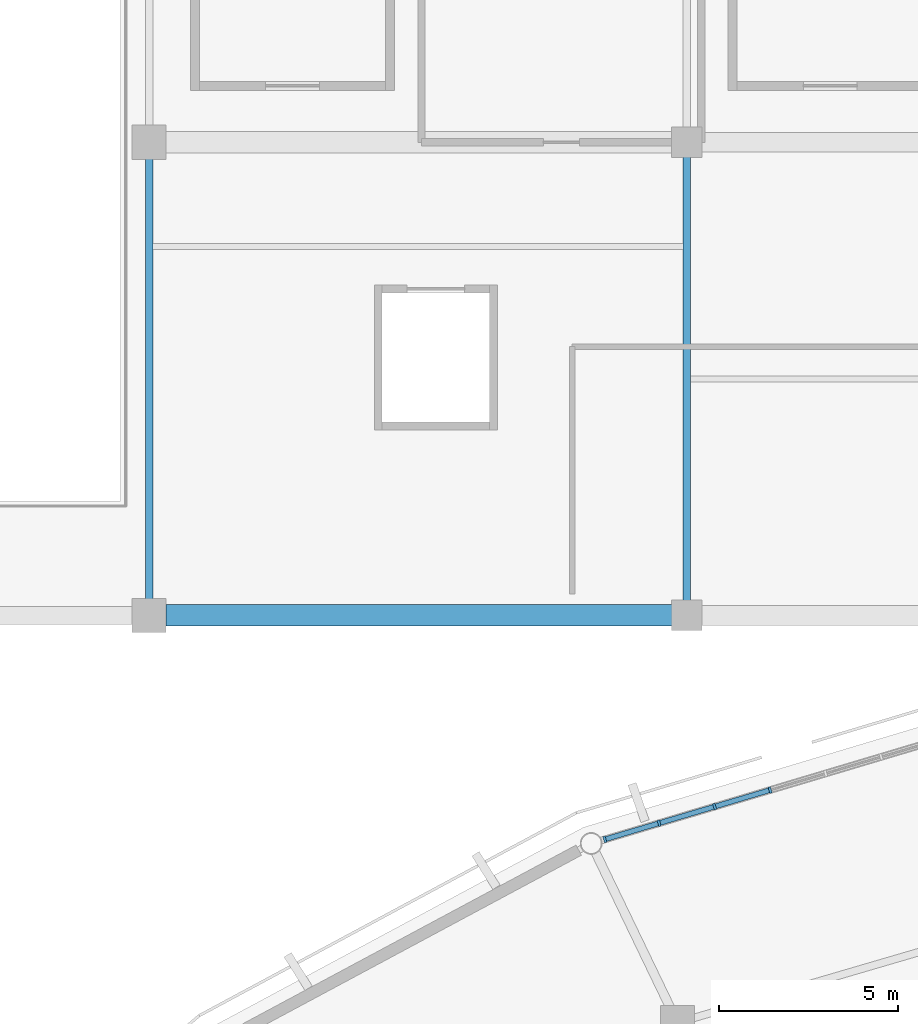
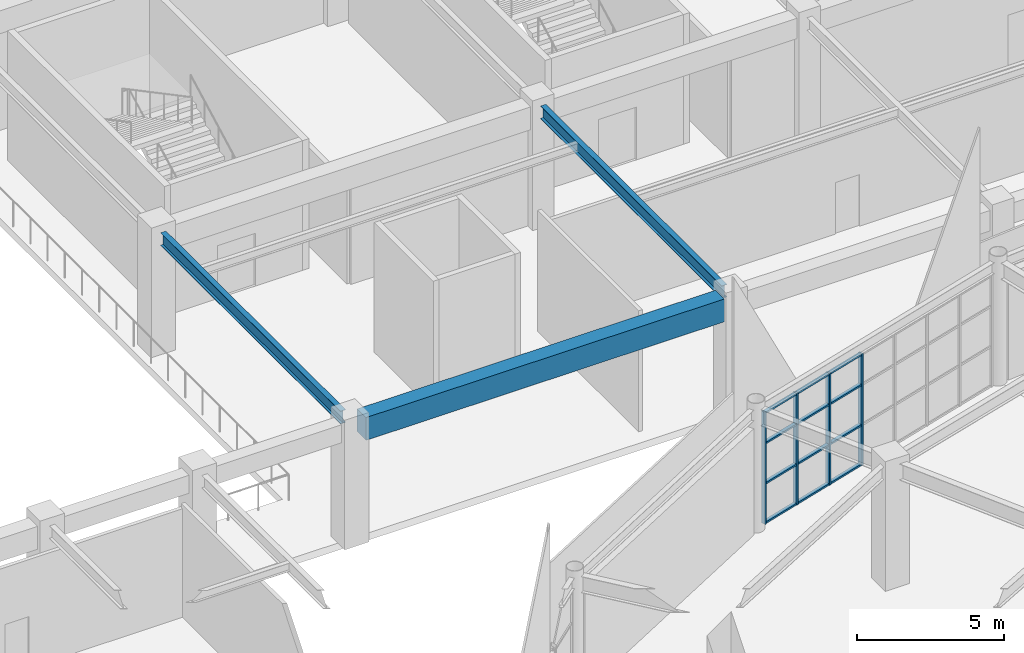
# One storey, part 39 of 120: 16 members, 3 beams, 1 element without a shape of its own.
"""IFC4 building model written with IfcOpenShell, lengths in metres."""

from ifc_helpers import new_model, si_unit, direction, frame, origin, origin_2d, place, context, subcontext, project, spatial, rectangle, i_section, extrude, material, material_profile, profile_set, type_object, element, aggregate, save


model = new_model("IFC4")

# Units and contexts
model_context = context("Model", 3, precision=1e-05, world=origin(), true_north=direction((0.0, 1.0)))
body_context = subcontext(model_context, "Body", "Model", "MODEL_VIEW")
ifc_project = project(units=[si_unit("LENGTHUNIT", "METRE"), si_unit("AREAUNIT", "SQUARE_METRE"), si_unit("VOLUMEUNIT", "CUBIC_METRE"), si_unit("PLANEANGLEUNIT", "RADIAN"), si_unit("MASSUNIT", "GRAM", prefix="KILO")], contexts=[model_context])

# Site, building, storey
site_placement = place(None, origin())
site = spatial("IfcSite", under=ifc_project, at=site_placement, CompositionType="ELEMENT")
building_placement = place(site_placement, origin())
building = spatial("IfcBuilding", under=site, at=building_placement, Name="Cuetzalor Civic Arena", CompositionType="ELEMENT")
storey_placement = place(building_placement, frame((0.0, 0.0, 6.0)))
storey = spatial("IfcBuildingStorey", under=building, at=storey_placement, Name="L01", CompositionType="ELEMENT", Elevation=6.0)

# Beam
ifc_material_1 = material(Name="Concrete C40/50", Category="concrete")
ifc_material_profile_1 = material_profile(ifc_material_1, rectangle(XDim=0.60009765625, YDim=0.949951171875, at=origin_2d()), Name="RC 600x950")
ifc_profile_set_1 = profile_set([ifc_material_profile_1], Name="Concrete C40/50")
beam_type_1 = type_object("IfcBeamType", Name="ConcreteFrameBeam_600x950", PredefinedType="BEAM", material=ifc_profile_set_1)
beam_1_placement = place(storey_placement, frame((-35.534912109375, 48.300048828125, 4.60498046875), z_axis=(1.0, 0.0, 0.0), x_axis=(0.0, 1.0, 0.0)))
element("IfcBeam", 1, at=beam_1_placement, inside=storey, type_object=beam_type_1, Name="Frame Girder V5-L01-X0511", PredefinedType="BEAM", context=body_context, shape_type="SweptSolid", body=[
    extrude(rectangle(XDim=0.60009765625, YDim=0.949951171875, at=origin_2d()), origin(), (0.0, 0.0, 1.0), 14.119873046875),
])

# Curtain wall, members
ifc_material_2 = material(Name="Anodised dark bronze aluminium and low-E solar glass", Category="aluminium")
curtain_wall_type = type_object("IfcCurtainWallType", Name="UnitisedCW_11300x4650", PredefinedType="USERDEFINED", material=ifc_material_2)
curtain_wall_placement = place(storey_placement, origin())
curtain_wall = element("IfcCurtainWall", 2, at=curtain_wall_placement, inside=storey, type_object=curtain_wall_type, Name="Drum Triangle Foyer Curtain Wall L01-024", ObjectType="UNITISED CURTAIN WALL", PredefinedType="USERDEFINED")
ifc_material_3 = material(Name="Anodised dark bronze aluminium", Category="aluminium")
ifc_material_profile_2 = material_profile(ifc_material_3, rectangle(XDim=0.070068359375, YDim=0.179931640625, at=origin_2d()), Name="ALU MULLION 70x180")
ifc_profile_set_2 = profile_set([ifc_material_profile_2], Name="Anodised dark bronze aluminium")
member_type_1 = type_object("IfcMemberType", Name="CurtainWallMullion_65x180", PredefinedType="MULLION", material=ifc_profile_set_2)
member_1_placement = place(storey_placement, frame((-23.28857421875, 42.053466796875, 0.0), z_axis=(0.0, 0.0, 1.0), x_axis=(0.958193690548, 0.286120344251, 0.0)))
member_1 = element("IfcMember", 3, at=member_1_placement, type_object=member_type_1, Name="CW-09 mullion 1", PredefinedType="MULLION", context=body_context, shape_type="SweptSolid", body=[
    extrude(rectangle(XDim=0.070068359375, YDim=0.179931640625, at=origin_2d()), origin(), (0.0, 0.0, 1.0), 4.653076171875),
])
member_2_placement = place(storey_placement, frame((-21.77392578125, 42.505859375, 0.0), z_axis=(0.0, 0.0, 1.0), x_axis=(0.958193690548, 0.286120344251, 0.0)))
member_2 = element("IfcMember", 4, at=member_2_placement, type_object=member_type_1, Name="CW-09 mullion 2", PredefinedType="MULLION", context=body_context, shape_type="SweptSolid", body=[
    extrude(rectangle(XDim=0.070068359375, YDim=0.179931640625, at=origin_2d()), origin(), (0.0, 0.0, 1.0), 4.653076171875),
])
member_3_placement = place(storey_placement, frame((-20.2255859375, 42.968017578125, 0.0), z_axis=(0.0, 0.0, 1.0), x_axis=(0.958193690548, 0.286120344251, 0.0)))
member_3 = element("IfcMember", 5, at=member_3_placement, type_object=member_type_1, Name="CW-09 mullion 3", PredefinedType="MULLION", context=body_context, shape_type="SweptSolid", body=[
    extrude(rectangle(XDim=0.070068359375, YDim=0.179931640625, at=origin_2d()), origin(), (0.0, 0.0, 1.0), 4.653076171875),
])
member_4_placement = place(storey_placement, frame((-18.677490234375, 43.430419921875, 0.0), z_axis=(0.0, 0.0, 1.0), x_axis=(0.958193690548, 0.286120344251, 0.0)))
member_4 = element("IfcMember", 6, at=member_4_placement, type_object=member_type_1, Name="CW-09 mullion 4", PredefinedType="MULLION", context=body_context, shape_type="SweptSolid", body=[
    extrude(rectangle(XDim=0.070068359375, YDim=0.179931640625, at=origin_2d()), origin(), (0.0, 0.0, 1.0), 4.653076171875),
])
ifc_material_4 = material(Name="Anodised dark bronze aluminium", Category="aluminium")
ifc_material_profile_3 = material_profile(ifc_material_4, rectangle(XDim=0.139892578125, YDim=0.070068359375, at=origin_2d()), Name="ALU TRANSOM 70x140")
ifc_profile_set_3 = profile_set([ifc_material_profile_3], Name="Anodised dark bronze aluminium")
member_type_2 = type_object("IfcMemberType", Name="CurtainWallTransom_65x140", PredefinedType="USERDEFINED", material=ifc_profile_set_3)
member_5_placement = place(storey_placement, frame((-23.2548828125, 42.0634765625, 0.034912109375), z_axis=(0.958168093169, 0.286206053804, 0.0), x_axis=(-0.286206053804, 0.958168093169, 0.0)))
member_5 = element("IfcMember", 7, at=member_5_placement, type_object=member_type_2, Name="CW-09 transom 1.1", ObjectType="TRANSOM", PredefinedType="USERDEFINED", context=body_context, shape_type="SweptSolid", body=[
    extrude(rectangle(XDim=0.139892578125, YDim=0.070068359375, at=origin_2d()), origin(), (0.0, 0.0, 1.0), 1.5107421875),
])
member_6_placement = place(storey_placement, frame((-23.2548828125, 42.0634765625, 1.675048828125), z_axis=(0.958168093169, 0.286206053804, 0.0), x_axis=(-0.286206053804, 0.958168093169, 0.0)))
member_6 = element("IfcMember", 8, at=member_6_placement, type_object=member_type_2, Name="CW-09 transom 1.2", ObjectType="TRANSOM", PredefinedType="USERDEFINED", context=body_context, shape_type="SweptSolid", body=[
    extrude(rectangle(XDim=0.139892578125, YDim=0.070068359375, at=origin_2d()), origin(), (0.0, 0.0, 1.0), 1.5107421875),
])
member_7_placement = place(storey_placement, frame((-23.2548828125, 42.0634765625, 3.35009765625), z_axis=(0.958168093169, 0.286206053804, 0.0), x_axis=(-0.286206053804, 0.958168093169, 0.0)))
member_7 = element("IfcMember", 9, at=member_7_placement, type_object=member_type_2, Name="CW-09 transom 1.3", ObjectType="TRANSOM", PredefinedType="USERDEFINED", context=body_context, shape_type="SweptSolid", body=[
    extrude(rectangle(XDim=0.139892578125, YDim=0.070068359375, at=origin_2d()), origin(), (0.0, 0.0, 1.0), 1.5107421875),
])
member_8_placement = place(storey_placement, frame((-23.2548828125, 42.0634765625, 4.617919921875), z_axis=(0.958168093169, 0.286206053804, 0.0), x_axis=(-0.286206053804, 0.958168093169, 0.0)))
member_8 = element("IfcMember", 10, at=member_8_placement, type_object=member_type_2, Name="CW-09 transom 1.4", ObjectType="TRANSOM", PredefinedType="USERDEFINED", context=body_context, shape_type="SweptSolid", body=[
    extrude(rectangle(XDim=0.139892578125, YDim=0.070068359375, at=origin_2d()), origin(), (0.0, 0.0, 1.0), 1.5107421875),
])
member_9_placement = place(storey_placement, frame((-21.740234375, 42.515869140625, 0.034912109375), z_axis=(0.958208027284, 0.286072327302, 0.0), x_axis=(-0.286072327302, 0.958208027284, 0.0)))
member_9 = element("IfcMember", 11, at=member_9_placement, type_object=member_type_2, Name="CW-09 transom 2.1", ObjectType="TRANSOM", PredefinedType="USERDEFINED", context=body_context, shape_type="SweptSolid", body=[
    extrude(rectangle(XDim=0.139892578125, YDim=0.070068359375, at=origin_2d()), origin(), (0.0, 0.0, 1.0), 1.545654296875),
])
member_10_placement = place(storey_placement, frame((-21.740234375, 42.515869140625, 1.675048828125), z_axis=(0.958208027284, 0.286072327302, 0.0), x_axis=(-0.286072327302, 0.958208027284, 0.0)))
member_10 = element("IfcMember", 12, at=member_10_placement, type_object=member_type_2, Name="CW-09 transom 2.2", ObjectType="TRANSOM", PredefinedType="USERDEFINED", context=body_context, shape_type="SweptSolid", body=[
    extrude(rectangle(XDim=0.139892578125, YDim=0.070068359375, at=origin_2d()), origin(), (0.0, 0.0, 1.0), 1.545654296875),
])
member_11_placement = place(storey_placement, frame((-21.740234375, 42.515869140625, 3.35009765625), z_axis=(0.958208027284, 0.286072327302, 0.0), x_axis=(-0.286072327302, 0.958208027284, 0.0)))
member_11 = element("IfcMember", 13, at=member_11_placement, type_object=member_type_2, Name="CW-09 transom 2.3", ObjectType="TRANSOM", PredefinedType="USERDEFINED", context=body_context, shape_type="SweptSolid", body=[
    extrude(rectangle(XDim=0.139892578125, YDim=0.070068359375, at=origin_2d()), origin(), (0.0, 0.0, 1.0), 1.545654296875),
])
member_12_placement = place(storey_placement, frame((-21.740234375, 42.515869140625, 4.617919921875), z_axis=(0.958208027284, 0.286072327302, 0.0), x_axis=(-0.286072327302, 0.958208027284, 0.0)))
member_12 = element("IfcMember", 14, at=member_12_placement, type_object=member_type_2, Name="CW-09 transom 2.4", ObjectType="TRANSOM", PredefinedType="USERDEFINED", context=body_context, shape_type="SweptSolid", body=[
    extrude(rectangle(XDim=0.139892578125, YDim=0.070068359375, at=origin_2d()), origin(), (0.0, 0.0, 1.0), 1.545654296875),
])
member_13_placement = place(storey_placement, frame((-20.192138671875, 42.97802734375, 0.034912109375), z_axis=(0.958164717752, 0.286217353869, 0.0), x_axis=(-0.286217353869, 0.958164717752, 0.0)))
member_13 = element("IfcMember", 15, at=member_13_placement, type_object=member_type_2, Name="CW-09 transom 3.1", ObjectType="TRANSOM", PredefinedType="USERDEFINED", context=body_context, shape_type="SweptSolid", body=[
    extrude(rectangle(XDim=0.139892578125, YDim=0.070068359375, at=origin_2d()), origin(), (0.0, 0.0, 1.0), 1.545654296875),
])
member_14_placement = place(storey_placement, frame((-20.192138671875, 42.97802734375, 1.675048828125), z_axis=(0.958164717752, 0.286217353869, 0.0), x_axis=(-0.286217353869, 0.958164717752, 0.0)))
member_14 = element("IfcMember", 16, at=member_14_placement, type_object=member_type_2, Name="CW-09 transom 3.2", ObjectType="TRANSOM", PredefinedType="USERDEFINED", context=body_context, shape_type="SweptSolid", body=[
    extrude(rectangle(XDim=0.139892578125, YDim=0.070068359375, at=origin_2d()), origin(), (0.0, 0.0, 1.0), 1.545654296875),
])
member_15_placement = place(storey_placement, frame((-20.192138671875, 42.97802734375, 3.35009765625), z_axis=(0.958164717752, 0.286217353869, 0.0), x_axis=(-0.286217353869, 0.958164717752, 0.0)))
member_15 = element("IfcMember", 17, at=member_15_placement, type_object=member_type_2, Name="CW-09 transom 3.3", ObjectType="TRANSOM", PredefinedType="USERDEFINED", context=body_context, shape_type="SweptSolid", body=[
    extrude(rectangle(XDim=0.139892578125, YDim=0.070068359375, at=origin_2d()), origin(), (0.0, 0.0, 1.0), 1.545654296875),
])
member_16_placement = place(storey_placement, frame((-20.192138671875, 42.97802734375, 4.617919921875), z_axis=(0.958164717752, 0.286217353869, 0.0), x_axis=(-0.286217353869, 0.958164717752, 0.0)))
member_16 = element("IfcMember", 18, at=member_16_placement, type_object=member_type_2, Name="CW-09 transom 3.4", ObjectType="TRANSOM", PredefinedType="USERDEFINED", context=body_context, shape_type="SweptSolid", body=[
    extrude(rectangle(XDim=0.139892578125, YDim=0.070068359375, at=origin_2d()), origin(), (0.0, 0.0, 1.0), 1.545654296875),
])
aggregate(curtain_wall, [member_1, member_2, member_3, member_4, member_5, member_6, member_7, member_8, member_9, member_10, member_11, member_12, member_13, member_14, member_15, member_16])

# Beams
ifc_material_5 = material(Name="Steel S355", Category="steel")
ifc_material_profile_4 = material_profile(ifc_material_5, i_section(OverallWidth=0.208984375, OverallDepth=0.532958984375, WebThickness=0.01025390625, FlangeThickness=0.015625, at=origin_2d()), Name="W530x92")
ifc_profile_set_4 = profile_set([ifc_material_profile_4], Name="Steel S355")
beam_type_2 = type_object("IfcBeamType", Name="SteelCollarGirder_W530", PredefinedType="BEAM", material=ifc_profile_set_4)
beam_2_placement = place(storey_placement, frame((-36.0, 48.764892578125, 4.8134765625), z_axis=(0.0, 1.0, 0.0), x_axis=(-1.0, 0.0, 0.0)))
element("IfcBeam", 19, at=beam_2_placement, inside=storey, type_object=beam_type_2, Name="Frame Girder V5-L01-Y0551", PredefinedType="BEAM", context=body_context, shape_type="SweptSolid", body=[
    extrude(i_section(OverallWidth=0.208984375, OverallDepth=0.532958984375, WebThickness=0.01025390625, FlangeThickness=0.015625, at=origin_2d()), origin(), (0.0, 0.0, 1.0), 12.27001953125),
])
beam_3_placement = place(storey_placement, frame((-21.0, 48.715087890625, 4.8134765625), z_axis=(0.0, 1.0, 0.0), x_axis=(-1.0, 0.0, 0.0)))
element("IfcBeam", 20, at=beam_3_placement, inside=storey, type_object=beam_type_2, Name="Frame Girder V5-L01-Y0553", PredefinedType="BEAM", context=body_context, shape_type="SweptSolid", body=[
    extrude(i_section(OverallWidth=0.208984375, OverallDepth=0.532958984375, WebThickness=0.01025390625, FlangeThickness=0.015625, at=origin_2d()), origin(), (0.0, 0.0, 1.0), 12.369873046875),
])

save(model, "model.ifc")
